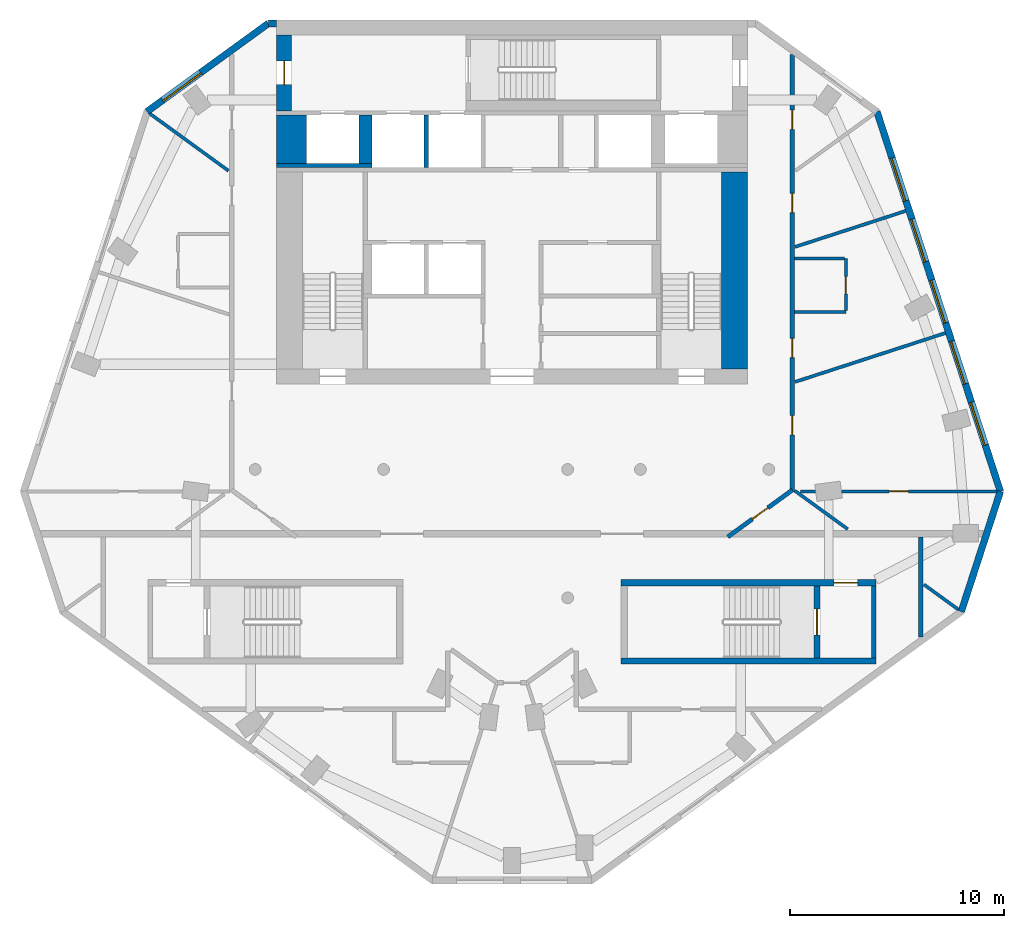
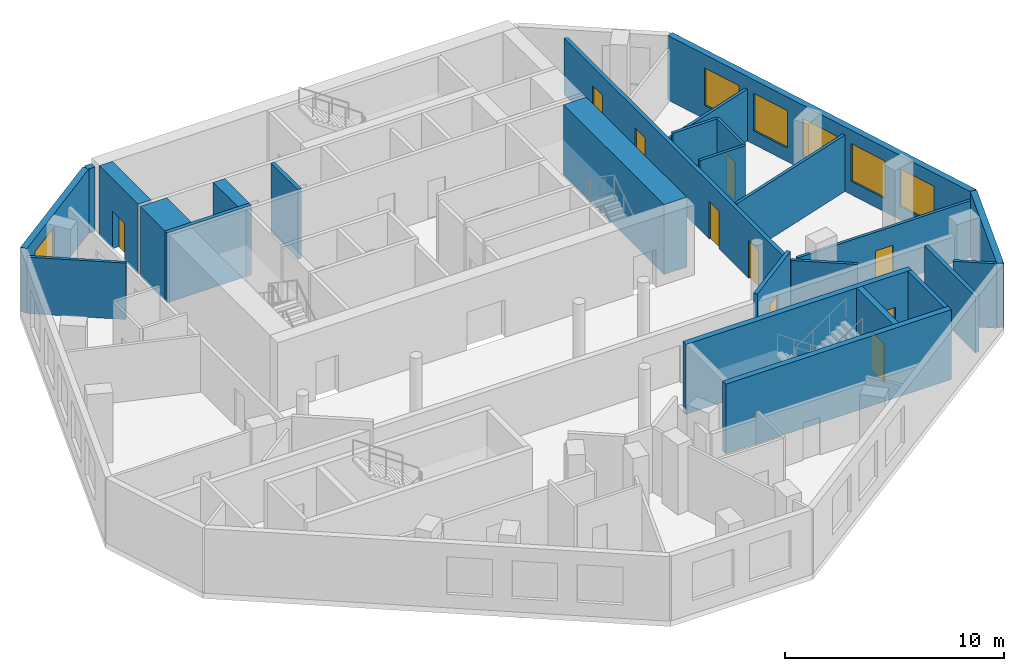
# One storey, part 4 of 8: 26 walls, 10 doors, 6 windows, 16 openings.
"""IFC4 building model written with IfcOpenShell, lengths in metres."""

from ifc_helpers import new_model, si_unit, direction, frame, frame_2d, origin, place, context, subcontext, project, spatial, rectangle, extrude, material, layer, layer_set, type_object, element, fill, save


model = new_model("IFC4")

# Units and contexts
model_context = context("Model", 3, precision=1e-05, world=origin(), true_north=direction((0.0, 1.0)))
body_context = subcontext(model_context, "Body", "Model", "MODEL_VIEW")
ifc_project = project(units=[si_unit("LENGTHUNIT", "METRE"), si_unit("AREAUNIT", "SQUARE_METRE"), si_unit("VOLUMEUNIT", "CUBIC_METRE"), si_unit("PLANEANGLEUNIT", "RADIAN"), si_unit("MASSUNIT", "GRAM", prefix="KILO")], contexts=[model_context])

# Site, building, storey
site_placement = place(None, origin())
site = spatial("IfcSite", under=ifc_project, at=site_placement, CompositionType="ELEMENT")
building_placement = place(site_placement, origin())
building = spatial("IfcBuilding", under=site, at=building_placement, Name="White Candle Pilgrim Tower", CompositionType="ELEMENT")
storey_placement = place(building_placement, frame((0.0, 0.0, 287.300048828125)))
storey = spatial("IfcBuildingStorey", under=building, at=storey_placement, Name="L68", CompositionType="ELEMENT", Elevation=287.300048828125)

# Walls
ifc_material_1 = material(Name="Concrete C50/60", Category="concrete")
ifc_layer_1 = layer(ifc_material_1, 1.39990234375)
ifc_layer_set_1 = layer_set([ifc_layer_1], Name="Core wall 1400 mm Concrete C50/60")
wall_type_1 = type_object("IfcWallType", Name="Core wall 1400 mm Concrete C50/60", PredefinedType="SHEAR", material=ifc_layer_set_1)
wall_1_placement = place(storey_placement, frame((59.699951171875, 81.300048828125, 0.0), z_axis=(0.0, 0.0, 1.0), x_axis=(0.0, 1.0, 0.0)))
element("IfcWall", 1, at=wall_1_placement, inside=storey, type_object=wall_type_1, Name="WL-L68-C39", PredefinedType="SHEAR", context=body_context, shape_type="SweptSolid", body=[
    extrude(rectangle(XDim=2.25, YDim=1.39990234375, at=frame_2d((1.125, 0.0))), origin(), (0.0, 0.0, 1.0), 3.89990234375),
])
ifc_layer_2 = layer(ifc_material_1, 0.199951171875)
ifc_layer_set_2 = layer_set([ifc_layer_2], Name="Core wall 200 mm Concrete C50/60")
wall_type_2 = type_object("IfcWallType", Name="Core wall 200 mm Concrete C50/60", PredefinedType="SHEAR", material=ifc_layer_set_2)
wall_2_placement = place(storey_placement, frame((86.89990234375, 58.199951171875, 0.0), z_axis=(0.0, 0.0, 1.0), x_axis=(0.0, 1.0, 0.0)))
element("IfcWall", 2, at=wall_2_placement, inside=storey, type_object=wall_type_2, Name="WL-L68-C08", PredefinedType="SHEAR", context=body_context, shape_type="SweptSolid", body=[
    extrude(rectangle(XDim=3.35009765625, YDim=0.199951171875, at=frame_2d((1.675048828125, 0.0))), origin(), (0.0, 0.0, 1.0), 3.89990234375),
])
wall_3_placement = place(storey_placement, frame((59.0, 81.199951171875, 0.0), z_axis=(0.0, 0.0, 1.0), x_axis=(1.0, 0.0, 0.0)))
element("IfcWall", 3, at=wall_3_placement, inside=storey, type_object=wall_type_2, Name="WL-L68-C33", PredefinedType="SHEAR", context=body_context, shape_type="SweptSolid", body=[
    extrude(rectangle(XDim=4.449951171875, YDim=0.199951171875, at=frame_2d((2.22509765625, 0.0))), origin(), (0.0, 0.0, 1.0), 3.89990234375),
])

# Wall, opening, door
ifc_layer_3 = layer(ifc_material_1, 0.699951171875)
ifc_layer_set_3 = layer_set([ifc_layer_3], Name="Core wall 700 mm Concrete C50/60")
wall_type_3 = type_object("IfcWallType", Name="Core wall 700 mm Concrete C50/60", PredefinedType="SHEAR", material=ifc_layer_set_3)
wall_4_placement = place(storey_placement, frame((59.35009765625, 83.75, 0.0), z_axis=(0.0, 0.0, 1.0), x_axis=(0.0, 1.0, 0.0)))
wall_4 = element("IfcWall", 4, at=wall_4_placement, inside=storey, type_object=wall_type_3, Name="WL-L68-C44", PredefinedType="SHEAR", context=body_context, shape_type="SweptSolid", body=[
    extrude(rectangle(XDim=3.550048828125, YDim=0.699951171875, at=frame_2d((1.77490234375, 0.0))), origin(), (0.0, 0.0, 1.0), 3.89990234375),
])
opening_1_placement = place(wall_4_placement, frame((1.22509765625, 0.0, 0.0)))
opening_1 = element("IfcOpeningElement", 5, at=opening_1_placement, cuts=wall_4, Name="Opening T21-008", PredefinedType="OPENING", context=body_context, shape_type="SweptSolid", body=[
    extrude(rectangle(XDim=1.10009765625, YDim=2.10009765625, at=frame_2d((0.550048828125, 1.050048828125))), frame((0.0, 0.35986328125, 0.0), z_axis=(0.0, -1.0, 0.0), x_axis=(1.0, 0.0, 0.0)), (0.0, 0.0, 1.0), 0.719970703125),
])
ifc_material_2 = material(Name="Steel door leaf", Category="steel")
door_type_1 = type_object("IfcDoorType", Name="Fire door 1100 x 2100 EI 60", OperationType="NOTDEFINED", PredefinedType="DOOR", material=ifc_material_2)
door_1_placement = place(opening_1_placement, origin())
door_1 = element("IfcDoor", 6, at=door_1_placement, inside=storey, type_object=door_type_1, Name="Door T21-008", OperationType="SINGLE_SWING_RIGHT", OverallHeight=2.10009765625, OverallWidth=1.10009765625, PredefinedType="DOOR", context=body_context, shape_type="SweptSolid", body=[
    extrude(rectangle(XDim=1.10009765625, YDim=2.10009765625, at=frame_2d((0.550048828125, 1.050048828125))), frame((0.0, 0.02490234375, 0.0), z_axis=(0.0, -1.0, 0.0), x_axis=(1.0, 0.0, 0.0)), (0.0, 0.0, 1.0), 0.050048828125),
])
fill(opening_1, door_1)

# Wall, openings, doors
ifc_material_3 = material(Name="Gypsum board on steel studs", Category="steel")
ifc_layer_4 = layer(ifc_material_3, 0.199951171875)
ifc_layer_set_4 = layer_set([ifc_layer_4], Name="Corridor wall 200 mm EI 45")
wall_type_4 = type_object("IfcWallType", Name="Corridor wall 200 mm EI 45", PredefinedType="PARTITIONING", material=ifc_layer_set_4)
wall_5_placement = place(storey_placement, frame((83.10009765625, 86.396240234375, 0.0), z_axis=(0.0, 0.0, 1.0), x_axis=(0.0, -1.0, 0.0)))
wall_5 = element("IfcWall", 7, at=wall_5_placement, inside=storey, type_object=wall_type_4, Name="WL-L68-P005", PredefinedType="PARTITIONING", context=body_context, shape_type="SweptSolid", body=[
    extrude(rectangle(XDim=20.416259765625, YDim=0.199951171875, at=frame_2d((10.2080078125, 0.0))), origin(), (0.0, 0.0, 1.0), 3.14990234375),
])
opening_2_placement = place(wall_5_placement, frame((2.6123046875, 0.0, 0.0)))
opening_2 = element("IfcOpeningElement", 8, at=opening_2_placement, cuts=wall_5, Name="Opening T21-113", PredefinedType="OPENING", context=body_context, shape_type="SweptSolid", body=[
    extrude(rectangle(XDim=0.89990234375, YDim=2.10009765625, at=frame_2d((0.449951171875, 1.050048828125))), frame((0.0, 0.10986328125, 0.0), z_axis=(0.0, -1.0, 0.0), x_axis=(1.0, 0.0, 0.0)), (0.0, 0.0, 1.0), 0.219970703125),
])
opening_3_placement = place(wall_5_placement, frame((6.49365234375, 0.0, 0.0)))
opening_3 = element("IfcOpeningElement", 9, at=opening_3_placement, cuts=wall_5, Name="Opening T21-114", PredefinedType="OPENING", context=body_context, shape_type="SweptSolid", body=[
    extrude(rectangle(XDim=0.89990234375, YDim=2.10009765625, at=frame_2d((0.449951171875, 1.050048828125))), frame((0.0, 0.10986328125, 0.0), z_axis=(0.0, -1.0, 0.0), x_axis=(1.0, 0.0, 0.0)), (0.0, 0.0, 1.0), 0.219970703125),
])
opening_4_placement = place(wall_5_placement, frame((13.270263671875, 0.0, 0.0)))
opening_4 = element("IfcOpeningElement", 10, at=opening_4_placement, cuts=wall_5, Name="Opening T21-115", PredefinedType="OPENING", context=body_context, shape_type="SweptSolid", body=[
    extrude(rectangle(XDim=0.89990234375, YDim=2.10009765625, at=frame_2d((0.449951171875, 1.050048828125))), frame((0.0, 0.10986328125, 0.0), z_axis=(0.0, -1.0, 0.0), x_axis=(1.0, 0.0, 0.0)), (0.0, 0.0, 1.0), 0.219970703125),
])
opening_5_placement = place(wall_5_placement, frame((16.877197265625, 0.0, 0.0)))
opening_5 = element("IfcOpeningElement", 11, at=opening_5_placement, cuts=wall_5, Name="Opening T21-116", PredefinedType="OPENING", context=body_context, shape_type="SweptSolid", body=[
    extrude(rectangle(XDim=0.89990234375, YDim=2.10009765625, at=frame_2d((0.449951171875, 1.050048828125))), frame((0.0, 0.10986328125, 0.0), z_axis=(0.0, -1.0, 0.0), x_axis=(1.0, 0.0, 0.0)), (0.0, 0.0, 1.0), 0.219970703125),
])
door_type_2 = type_object("IfcDoorType", Name="Fire door 900 x 2100 EI 30", OperationType="NOTDEFINED", PredefinedType="DOOR", material=ifc_material_2)
door_2_placement = place(opening_2_placement, origin())
door_2 = element("IfcDoor", 12, at=door_2_placement, inside=storey, type_object=door_type_2, Name="Door T21-113", OperationType="SINGLE_SWING_LEFT", OverallHeight=2.10009765625, OverallWidth=0.89990234375, PredefinedType="DOOR", context=body_context, shape_type="SweptSolid", body=[
    extrude(rectangle(XDim=0.89990234375, YDim=2.10009765625, at=frame_2d((0.449951171875, 1.050048828125))), frame((0.0, 0.02490234375, 0.0), z_axis=(0.0, -1.0, 0.0), x_axis=(1.0, 0.0, 0.0)), (0.0, 0.0, 1.0), 0.050048828125),
])
fill(opening_2, door_2)
door_3_placement = place(opening_3_placement, origin())
door_3 = element("IfcDoor", 13, at=door_3_placement, inside=storey, type_object=door_type_2, Name="Door T21-114", OperationType="SINGLE_SWING_RIGHT", OverallHeight=2.10009765625, OverallWidth=0.89990234375, PredefinedType="DOOR", context=body_context, shape_type="SweptSolid", body=[
    extrude(rectangle(XDim=0.89990234375, YDim=2.10009765625, at=frame_2d((0.449951171875, 1.050048828125))), frame((0.0, 0.02490234375, 0.0), z_axis=(0.0, -1.0, 0.0), x_axis=(1.0, 0.0, 0.0)), (0.0, 0.0, 1.0), 0.050048828125),
])
fill(opening_3, door_3)
door_4_placement = place(opening_4_placement, origin())
door_4 = element("IfcDoor", 14, at=door_4_placement, inside=storey, type_object=door_type_2, Name="Door T21-115", OperationType="SINGLE_SWING_LEFT", OverallHeight=2.10009765625, OverallWidth=0.89990234375, PredefinedType="DOOR", context=body_context, shape_type="SweptSolid", body=[
    extrude(rectangle(XDim=0.89990234375, YDim=2.10009765625, at=frame_2d((0.449951171875, 1.050048828125))), frame((0.0, 0.02490234375, 0.0), z_axis=(0.0, -1.0, 0.0), x_axis=(1.0, 0.0, 0.0)), (0.0, 0.0, 1.0), 0.050048828125),
])
fill(opening_4, door_4)
door_5_placement = place(opening_5_placement, origin())
door_5 = element("IfcDoor", 15, at=door_5_placement, inside=storey, type_object=door_type_2, Name="Door T21-116", OperationType="SINGLE_SWING_RIGHT", OverallHeight=2.10009765625, OverallWidth=0.89990234375, PredefinedType="DOOR", context=body_context, shape_type="SweptSolid", body=[
    extrude(rectangle(XDim=0.89990234375, YDim=2.10009765625, at=frame_2d((0.449951171875, 1.050048828125))), frame((0.0, 0.02490234375, 0.0), z_axis=(0.0, -1.0, 0.0), x_axis=(1.0, 0.0, 0.0)), (0.0, 0.0, 1.0), 0.050048828125),
])
fill(opening_5, door_5)

# Wall, opening, door
wall_6_placement = place(storey_placement, frame((83.10009765625, 66.041015625, 0.0), z_axis=(0.0, 0.0, 1.0), x_axis=(-0.809024883744, -0.587774393355, 0.0)))
wall_6 = element("IfcWall", 16, at=wall_6_placement, inside=storey, type_object=wall_type_4, Name="WL-L68-P006", PredefinedType="PARTITIONING", context=body_context, shape_type="SweptSolid", body=[
    extrude(rectangle(XDim=3.7275390625, YDim=0.199951171875, at=frame_2d((1.86376953125, 0.0))), origin(), (0.0, 0.0, 1.0), 3.599853515625),
])
opening_6_placement = place(wall_6_placement, frame((1.413818359375, 0.0, 0.0)))
opening_6 = element("IfcOpeningElement", 17, at=opening_6_placement, cuts=wall_6, Name="Opening T21-119", PredefinedType="OPENING", context=body_context, shape_type="SweptSolid", body=[
    extrude(rectangle(XDim=0.89990234375, YDim=2.10009765625, at=frame_2d((0.449951171875, 1.050048828125))), frame((0.0, 0.10986328125, 0.0), z_axis=(0.0, -1.0, 0.0), x_axis=(1.0, 0.0, 0.0)), (0.0, 0.0, 1.0), 0.219970703125),
])
door_6_placement = place(opening_6_placement, origin())
door_6 = element("IfcDoor", 18, at=door_6_placement, inside=storey, type_object=door_type_2, Name="Door T21-119", OperationType="SINGLE_SWING_LEFT", OverallHeight=2.10009765625, OverallWidth=0.89990234375, PredefinedType="DOOR", context=body_context, shape_type="SweptSolid", body=[
    extrude(rectangle(XDim=0.89990234375, YDim=2.10009765625, at=frame_2d((0.449951171875, 1.050048828125))), frame((0.0, 0.02490234375, 0.0), z_axis=(0.0, -1.0, 0.0), x_axis=(1.0, 0.0, 0.0)), (0.0, 0.0, 1.0), 0.050048828125),
])
fill(opening_6, door_6)

# Walls
wall_7_placement = place(storey_placement, frame((89.10009765625, 63.85009765625, 0.0), z_axis=(0.0, 0.0, 1.0), x_axis=(0.0, -1.0, 0.0)))
element("IfcWall", 19, at=wall_7_placement, inside=storey, type_object=wall_type_4, Name="WL-L68-P007", PredefinedType="PARTITIONING", context=body_context, shape_type="SweptSolid", body=[
    extrude(rectangle(XDim=4.67333984375, YDim=0.199951171875, at=frame_2d((2.336669921875, 0.0))), origin(), (0.0, 0.0, 1.0), 3.14990234375),
])
ifc_material_4 = material(Name="Precast concrete C40/50", Category="concrete")
ifc_layer_5 = layer(ifc_material_4, 0.320068359375)
ifc_layer_set_5 = layer_set([ifc_layer_5], Name="Facade wall EW1 precast concrete C40/50 pier wall with timber-lined reveals")
wall_type_5 = type_object("IfcWallType", Name="Facade wall EW1 precast concrete C40/50 pier wall with timber-lined reveals", PredefinedType="SOLIDWALL", material=ifc_layer_set_5)
wall_8_placement = place(storey_placement, frame((90.99365234375, 60.354736328125, 0.0), z_axis=(0.0, 0.0, 1.0), x_axis=(0.30899265151, 0.951064425427, 0.0)))
element("IfcWall", 20, at=wall_8_placement, inside=storey, type_object=wall_type_5, Name="Facade wall L68 E chamfer", PredefinedType="SOLIDWALL", context=body_context, shape_type="SweptSolid", body=[
    extrude(rectangle(XDim=5.9091796875, YDim=0.320068359375, at=frame_2d((2.95458984375, 0.0))), origin(), (0.0, 0.0, 1.0), 3.599853515625),
])

# Wall, openings, windows
wall_9_placement = place(storey_placement, frame((92.819580078125, 65.974853515625, 0.0), z_axis=(0.0, 0.0, 1.0), x_axis=(-0.3090200992, 0.951055507471, 0.0)))
wall_9 = element("IfcWall", 21, at=wall_9_placement, inside=storey, type_object=wall_type_5, Name="Facade wall L68 ENE", PredefinedType="SOLIDWALL", context=body_context, shape_type="SweptSolid", body=[
    extrude(rectangle(XDim=18.66015625, YDim=0.320068359375, at=frame_2d((9.330078125, 0.0))), origin(), (0.0, 0.0, 1.0), 3.599853515625),
])
opening_7_placement = place(wall_9_placement, frame((2.280029296875, 0.0, 0.75)))
opening_7 = element("IfcOpeningElement", 22, at=opening_7_placement, cuts=wall_9, Name="Opening W3", PredefinedType="OPENING", context=body_context, shape_type="SweptSolid", body=[
    extrude(rectangle(XDim=2.10009765625, YDim=2.10009765625, at=frame_2d((1.050048828125, 1.050048828125))), frame((0.0, 0.169921875, 0.0), z_axis=(0.0, -1.0, 0.0), x_axis=(1.0, 0.0, 0.0)), (0.0, 0.0, 1.0), 0.340087890625),
])
opening_8_placement = place(wall_9_placement, frame((5.280029296875, 0.0, 0.75)))
opening_8 = element("IfcOpeningElement", 23, at=opening_8_placement, cuts=wall_9, Name="Opening W3", PredefinedType="OPENING", context=body_context, shape_type="SweptSolid", body=[
    extrude(rectangle(XDim=2.10009765625, YDim=2.10009765625, at=frame_2d((1.050048828125, 1.050048828125))), frame((0.0, 0.169921875, 0.0), z_axis=(0.0, -1.0, 0.0), x_axis=(1.0, 0.0, 0.0)), (0.0, 0.0, 1.0), 0.340087890625),
])
opening_9_placement = place(wall_9_placement, frame((8.280029296875, 0.0, 0.75)))
opening_9 = element("IfcOpeningElement", 24, at=opening_9_placement, cuts=wall_9, Name="Opening W3", PredefinedType="OPENING", context=body_context, shape_type="SweptSolid", body=[
    extrude(rectangle(XDim=2.10009765625, YDim=2.10009765625, at=frame_2d((1.050048828125, 1.050048828125))), frame((0.0, 0.169921875, 0.0), z_axis=(0.0, -1.0, 0.0), x_axis=(1.0, 0.0, 0.0)), (0.0, 0.0, 1.0), 0.340087890625),
])
opening_10_placement = place(wall_9_placement, frame((11.280029296875, 0.0, 0.75)))
opening_10 = element("IfcOpeningElement", 25, at=opening_10_placement, cuts=wall_9, Name="Opening W3", PredefinedType="OPENING", context=body_context, shape_type="SweptSolid", body=[
    extrude(rectangle(XDim=2.10009765625, YDim=2.10009765625, at=frame_2d((1.050048828125, 1.050048828125))), frame((0.0, 0.169921875, 0.0), z_axis=(0.0, -1.0, 0.0), x_axis=(1.0, 0.0, 0.0)), (0.0, 0.0, 1.0), 0.340087890625),
])
opening_11_placement = place(wall_9_placement, frame((14.280029296875, 0.0, 0.75)))
opening_11 = element("IfcOpeningElement", 26, at=opening_11_placement, cuts=wall_9, Name="Opening W3", PredefinedType="OPENING", context=body_context, shape_type="SweptSolid", body=[
    extrude(rectangle(XDim=2.10009765625, YDim=2.10009765625, at=frame_2d((1.050048828125, 1.050048828125))), frame((0.0, 0.169921875, 0.0), z_axis=(0.0, -1.0, 0.0), x_axis=(1.0, 0.0, 0.0)), (0.0, 0.0, 1.0), 0.340087890625),
])
ifc_material_5 = material(Name="Timber frame with triple glazing", Category="wood")
window_type_1 = type_object("IfcWindowType", Name="Window W3 2100x2100 timber frame triple glazing", PartitioningType="SINGLE_PANEL", PredefinedType="WINDOW", material=ifc_material_5)
window_1_placement = place(opening_7_placement, origin())
window_1 = element("IfcWindow", 27, at=window_1_placement, inside=storey, type_object=window_type_1, Name="Window W3 L68 ENE 1", OverallHeight=2.10009765625, OverallWidth=2.10009765625, PartitioningType="SINGLE_PANEL", PredefinedType="WINDOW", context=body_context, shape_type="SweptSolid", body=[
    extrude(rectangle(XDim=2.10009765625, YDim=2.10009765625, at=frame_2d((1.050048828125, 1.050048828125))), frame((0.0, 0.070068359375, 0.0), z_axis=(0.0, -1.0, 0.0), x_axis=(1.0, 0.0, 0.0)), (0.0, 0.0, 1.0), 0.06005859375),
])
fill(opening_7, window_1)
window_2_placement = place(opening_8_placement, origin())
window_2 = element("IfcWindow", 28, at=window_2_placement, inside=storey, type_object=window_type_1, Name="Window W3 L68 ENE 2", OverallHeight=2.10009765625, OverallWidth=2.10009765625, PartitioningType="SINGLE_PANEL", PredefinedType="WINDOW", context=body_context, shape_type="SweptSolid", body=[
    extrude(rectangle(XDim=2.10009765625, YDim=2.10009765625, at=frame_2d((1.050048828125, 1.050048828125))), frame((0.0, 0.070068359375, 0.0), z_axis=(0.0, -1.0, 0.0), x_axis=(1.0, 0.0, 0.0)), (0.0, 0.0, 1.0), 0.06005859375),
])
fill(opening_8, window_2)
window_3_placement = place(opening_9_placement, origin())
window_3 = element("IfcWindow", 29, at=window_3_placement, inside=storey, type_object=window_type_1, Name="Window W3 L68 ENE 3", OverallHeight=2.10009765625, OverallWidth=2.10009765625, PartitioningType="SINGLE_PANEL", PredefinedType="WINDOW", context=body_context, shape_type="SweptSolid", body=[
    extrude(rectangle(XDim=2.10009765625, YDim=2.10009765625, at=frame_2d((1.050048828125, 1.050048828125))), frame((0.0, 0.070068359375, 0.0), z_axis=(0.0, -1.0, 0.0), x_axis=(1.0, 0.0, 0.0)), (0.0, 0.0, 1.0), 0.06005859375),
])
fill(opening_9, window_3)
window_4_placement = place(opening_10_placement, origin())
window_4 = element("IfcWindow", 30, at=window_4_placement, inside=storey, type_object=window_type_1, Name="Window W3 L68 ENE 4", OverallHeight=2.10009765625, OverallWidth=2.10009765625, PartitioningType="SINGLE_PANEL", PredefinedType="WINDOW", context=body_context, shape_type="SweptSolid", body=[
    extrude(rectangle(XDim=2.10009765625, YDim=2.10009765625, at=frame_2d((1.050048828125, 1.050048828125))), frame((0.0, 0.070068359375, 0.0), z_axis=(0.0, -1.0, 0.0), x_axis=(1.0, 0.0, 0.0)), (0.0, 0.0, 1.0), 0.06005859375),
])
fill(opening_10, window_4)
window_5_placement = place(opening_11_placement, origin())
window_5 = element("IfcWindow", 31, at=window_5_placement, inside=storey, type_object=window_type_1, Name="Window W3 L68 ENE 5", OverallHeight=2.10009765625, OverallWidth=2.10009765625, PartitioningType="SINGLE_PANEL", PredefinedType="WINDOW", context=body_context, shape_type="SweptSolid", body=[
    extrude(rectangle(XDim=2.10009765625, YDim=2.10009765625, at=frame_2d((1.050048828125, 1.050048828125))), frame((0.0, 0.070068359375, 0.0), z_axis=(0.0, -1.0, 0.0), x_axis=(1.0, 0.0, 0.0)), (0.0, 0.0, 1.0), 0.06005859375),
])
fill(opening_11, window_5)

# Wall
wall_10_placement = place(storey_placement, frame((59.0, 87.840087890625, 0.0), z_axis=(0.0, 0.0, 1.0), x_axis=(-1.0, 0.0, 0.0)))
element("IfcWall", 32, at=wall_10_placement, inside=storey, type_object=wall_type_5, Name="Facade wall L68 N", PredefinedType="SOLIDWALL", context=body_context, shape_type="SweptSolid", body=[
    extrude(rectangle(XDim=0.385009765625, YDim=0.320068359375, at=frame_2d((0.1923828125, 0.0))), origin(), (0.0, 0.0, 1.0), 3.599853515625),
])

# Wall, opening, window
wall_11_placement = place(storey_placement, frame((58.614990234375, 87.840087890625, 0.0), z_axis=(0.0, 0.0, 1.0), x_axis=(-0.809002708762, -0.587804914249, 0.0)))
wall_11 = element("IfcWall", 33, at=wall_11_placement, inside=storey, type_object=wall_type_5, Name="Facade wall L68 NW chamfer", PredefinedType="SOLIDWALL", context=body_context, shape_type="SweptSolid", body=[
    extrude(rectangle(XDim=7.00634765625, YDim=0.320068359375, at=frame_2d((3.503173828125, 0.0))), origin(), (0.0, 0.0, 1.0), 3.599853515625),
])
opening_12_placement = place(wall_11_placement, frame((3.9033203125, 0.0, 0.75)))
opening_12 = element("IfcOpeningElement", 34, at=opening_12_placement, cuts=wall_11, Name="Opening W4", PredefinedType="OPENING", context=body_context, shape_type="SweptSolid", body=[
    extrude(rectangle(XDim=2.199951171875, YDim=2.10009765625, at=frame_2d((1.10009765625, 1.050048828125))), frame((0.0, 0.169921875, 0.0), z_axis=(0.0, -1.0, 0.0), x_axis=(1.0, 0.0, 0.0)), (0.0, 0.0, 1.0), 0.340087890625),
])
window_type_2 = type_object("IfcWindowType", Name="Window W4 2200x2100 timber frame triple glazing", PartitioningType="SINGLE_PANEL", PredefinedType="WINDOW", material=ifc_material_5)
window_6_placement = place(opening_12_placement, origin())
window_6 = element("IfcWindow", 35, at=window_6_placement, inside=storey, type_object=window_type_2, Name="Window W4 L68 NW chamfer 2", OverallHeight=2.10009765625, OverallWidth=2.199951171875, PartitioningType="SINGLE_PANEL", PredefinedType="WINDOW", context=body_context, shape_type="SweptSolid", body=[
    extrude(rectangle(XDim=2.199951171875, YDim=2.10009765625, at=frame_2d((1.10009765625, 1.050048828125))), frame((0.0, 0.070068359375, 0.0), z_axis=(0.0, -1.0, 0.0), x_axis=(1.0, 0.0, 0.0)), (0.0, 0.0, 1.0), 0.06005859375),
])
fill(opening_12, window_6)

# Walls
ifc_layer_6 = layer(ifc_material_3, 0.14990234375)
ifc_layer_set_6 = layer_set([ifc_layer_6], Name="Partition 150 mm EI 60")
wall_type_6 = type_object("IfcWallType", Name="Partition 150 mm EI 60", PredefinedType="PARTITIONING", material=ifc_layer_set_6)
wall_12_placement = place(storey_placement, frame((53.082763671875, 83.622802734375, 0.0), z_axis=(0.0, 0.0, 1.0), x_axis=(0.809012707043, -0.587791153253, 0.0)))
element("IfcWall", 36, at=wall_12_placement, inside=storey, type_object=wall_type_6, Name="WL-L68-P015", PredefinedType="PARTITIONING", context=body_context, shape_type="SweptSolid", body=[
    extrude(rectangle(XDim=4.540283203125, YDim=0.14990234375, at=frame_2d((2.27001953125, 0.0))), origin(), (0.0, 0.0, 1.0), 3.14990234375),
])
wall_13_placement = place(storey_placement, frame((90.857421875, 60.45361328125, 0.0), z_axis=(0.0, 0.0, 1.0), x_axis=(-0.809016588302, 0.587785811204, 0.0)))
element("IfcWall", 37, at=wall_13_placement, inside=storey, type_object=wall_type_6, Name="WL-L68-P021", PredefinedType="PARTITIONING", context=body_context, shape_type="SweptSolid", body=[
    extrude(rectangle(XDim=1.994140625, YDim=0.14990234375, at=frame_2d((0.9970703125, 0.0))), origin(), (0.0, 0.0, 1.0), 3.599853515625),
])
wall_14_placement = place(storey_placement, frame((85.686279296875, 64.210693359375, 0.0), z_axis=(0.0, 0.0, 1.0), x_axis=(-0.809019714883, 0.587781507816, 0.0)))
element("IfcWall", 38, at=wall_14_placement, inside=storey, type_object=wall_type_6, Name="WL-L68-P022", PredefinedType="PARTITIONING", context=body_context, shape_type="SweptSolid", body=[
    extrude(rectangle(XDim=3.05126953125, YDim=0.14990234375, at=frame_2d((1.525634765625, 0.0))), origin(), (0.0, 0.0, 1.0), 3.099853515625),
])

# Wall, opening, door
wall_15_placement = place(storey_placement, frame((92.6513671875, 65.974853515625, 0.0), z_axis=(0.0, 0.0, 1.0), x_axis=(-1.0, 0.0, 0.0)))
wall_15 = element("IfcWall", 39, at=wall_15_placement, inside=storey, type_object=wall_type_6, Name="WL-L68-P023", PredefinedType="PARTITIONING", context=body_context, shape_type="SweptSolid", body=[
    extrude(rectangle(XDim=9.162353515625, YDim=0.14990234375, at=frame_2d((4.5810546875, 0.0))), origin(), (0.0, 0.0, 1.0), 3.14990234375),
])
opening_13_placement = place(wall_15_placement, frame((4.131103515625, 0.0, 0.0)))
opening_13 = element("IfcOpeningElement", 40, at=opening_13_placement, cuts=wall_15, Name="Opening T21-117", PredefinedType="OPENING", context=body_context, shape_type="SweptSolid", body=[
    extrude(rectangle(XDim=0.89990234375, YDim=2.10009765625, at=frame_2d((0.449951171875, 1.050048828125))), frame((0.0, 0.0849609375, 0.0), z_axis=(0.0, -1.0, 0.0), x_axis=(1.0, 0.0, 0.0)), (0.0, 0.0, 1.0), 0.169921875),
])
door_7_placement = place(opening_13_placement, origin())
door_7 = element("IfcDoor", 41, at=door_7_placement, inside=storey, type_object=door_type_2, Name="Door T21-117", OperationType="SINGLE_SWING_LEFT", OverallHeight=2.10009765625, OverallWidth=0.89990234375, PredefinedType="DOOR", context=body_context, shape_type="SweptSolid", body=[
    extrude(rectangle(XDim=0.89990234375, YDim=2.10009765625, at=frame_2d((0.449951171875, 1.050048828125))), frame((0.0, 0.02490234375, 0.0), z_axis=(0.0, -1.0, 0.0), x_axis=(1.0, 0.0, 0.0)), (0.0, 0.0, 1.0), 0.050048828125),
])
fill(opening_13, door_7)

# Walls
wall_16_placement = place(storey_placement, frame((90.247802734375, 73.372314453125, 0.0), z_axis=(0.0, 0.0, 1.0), x_axis=(-0.951055684943, -0.309019553002, 0.0)))
element("IfcWall", 42, at=wall_16_placement, inside=storey, type_object=wall_type_6, Name="WL-L68-P035", PredefinedType="PARTITIONING", context=body_context, shape_type="SweptSolid", body=[
    extrude(rectangle(XDim=7.38623046875, YDim=0.14990234375, at=frame_2d((3.693115234375, 0.0))), origin(), (0.0, 0.0, 1.0), 3.14990234375),
])
wall_17_placement = place(storey_placement, frame((88.393798828125, 79.07861328125, 0.0), z_axis=(0.0, 0.0, 1.0), x_axis=(-0.951062774979, -0.308997731462, 0.0)))
element("IfcWall", 43, at=wall_17_placement, inside=storey, type_object=wall_type_6, Name="WL-L68-P036", PredefinedType="PARTITIONING", context=body_context, shape_type="SweptSolid", body=[
    extrude(rectangle(XDim=5.436767578125, YDim=0.14990234375, at=frame_2d((2.71826171875, 0.0))), origin(), (0.0, 0.0, 1.0), 2.89990234375),
])
wall_18_placement = place(storey_placement, frame((83.199951171875, 74.358642578125, 0.0), z_axis=(0.0, 0.0, 1.0), x_axis=(1.0, 0.0, 0.0)))
element("IfcWall", 44, at=wall_18_placement, inside=storey, type_object=wall_type_6, Name="WL-L68-P037", PredefinedType="PARTITIONING", context=body_context, shape_type="SweptSolid", body=[
    extrude(rectangle(XDim=2.400146484375, YDim=0.14990234375, at=frame_2d((1.2001953125, 0.0))), origin(), (0.0, 0.0, 1.0), 3.599853515625),
])

# Wall, opening, door
wall_19_placement = place(storey_placement, frame((85.60009765625, 76.858642578125, 0.0), z_axis=(0.0, 0.0, 1.0), x_axis=(0.0, -1.0, 0.0)))
wall_19 = element("IfcWall", 45, at=wall_19_placement, inside=storey, type_object=wall_type_6, Name="WL-L68-P038", PredefinedType="PARTITIONING", context=body_context, shape_type="SweptSolid", body=[
    extrude(rectangle(XDim=2.425048828125, YDim=0.14990234375, at=frame_2d((1.21240234375, 0.0))), origin(), (0.0, 0.0, 1.0), 3.599853515625),
])
opening_14_placement = place(wall_19_placement, frame((0.85009765625, 0.0, 0.0)))
opening_14 = element("IfcOpeningElement", 46, at=opening_14_placement, cuts=wall_19, Name="Opening T21-107", PredefinedType="OPENING", context=body_context, shape_type="SweptSolid", body=[
    extrude(rectangle(XDim=0.800048828125, YDim=2.10009765625, at=frame_2d((0.39990234375, 1.050048828125))), frame((0.0, 0.0849609375, 0.0), z_axis=(0.0, -1.0, 0.0), x_axis=(1.0, 0.0, 0.0)), (0.0, 0.0, 1.0), 0.169921875),
])
door_type_3 = type_object("IfcDoorType", Name="Fire door 800 x 2100 EI 30", OperationType="NOTDEFINED", PredefinedType="DOOR", material=ifc_material_2)
door_8_placement = place(opening_14_placement, origin())
door_8 = element("IfcDoor", 47, at=door_8_placement, inside=storey, type_object=door_type_3, Name="Door T21-107", OperationType="SINGLE_SWING_LEFT", OverallHeight=2.10009765625, OverallWidth=0.800048828125, PredefinedType="DOOR", context=body_context, shape_type="SweptSolid", body=[
    extrude(rectangle(XDim=0.800048828125, YDim=2.10009765625, at=frame_2d((0.39990234375, 1.050048828125))), frame((0.0, 0.02490234375, 0.0), z_axis=(0.0, -1.0, 0.0), x_axis=(1.0, 0.0, 0.0)), (0.0, 0.0, 1.0), 0.050048828125),
])
fill(opening_14, door_8)

# Walls
wall_20_placement = place(storey_placement, frame((83.199951171875, 76.858642578125, 0.0), z_axis=(0.0, 0.0, 1.0), x_axis=(1.0, 0.0, 0.0)))
element("IfcWall", 48, at=wall_20_placement, inside=storey, type_object=wall_type_6, Name="WL-L68-P039", PredefinedType="PARTITIONING", context=body_context, shape_type="SweptSolid", body=[
    extrude(rectangle(XDim=2.324951171875, YDim=0.14990234375, at=frame_2d((1.16259765625, 0.0))), origin(), (0.0, 0.0, 1.0), 3.599853515625),
])
ifc_layer_7 = layer(ifc_material_1, 0.199951171875)
ifc_layer_set_7 = layer_set([ifc_layer_7], Name="Shaft wall 200 mm Concrete C50/60")
wall_type_7 = type_object("IfcWallType", Name="Shaft wall 200 mm Concrete C50/60", PredefinedType="SHEAR", material=ifc_layer_set_7)
wall_21_placement = place(storey_placement, frame((66.0, 81.10009765625, 0.0), z_axis=(0.0, 0.0, 1.0), x_axis=(0.0, 1.0, 0.0)))
element("IfcWall", 49, at=wall_21_placement, inside=storey, type_object=wall_type_7, Name="WL-L68-C34", PredefinedType="SHEAR", context=body_context, shape_type="SweptSolid", body=[
    extrude(rectangle(XDim=2.449951171875, YDim=0.199951171875, at=frame_2d((1.22509765625, 0.0))), origin(), (0.0, 0.0, 1.0), 3.89990234375),
])
ifc_layer_8 = layer(ifc_material_1, 0.60009765625)
ifc_layer_set_8 = layer_set([ifc_layer_8], Name="Shaft wall 600 mm Concrete C50/60")
wall_type_8 = type_object("IfcWallType", Name="Shaft wall 600 mm Concrete C50/60", PredefinedType="SHEAR", material=ifc_layer_set_8)
wall_22_placement = place(storey_placement, frame((63.14990234375, 81.300048828125, 0.0), z_axis=(0.0, 0.0, 1.0), x_axis=(0.0, 1.0, 0.0)))
element("IfcWall", 50, at=wall_22_placement, inside=storey, type_object=wall_type_8, Name="WL-L68-C40", PredefinedType="SHEAR", context=body_context, shape_type="SweptSolid", body=[
    extrude(rectangle(XDim=2.25, YDim=0.60009765625, at=frame_2d((1.125, 0.0))), origin(), (0.0, 0.0, 1.0), 3.89990234375),
])
ifc_layer_9 = layer(ifc_material_1, 1.199951171875)
ifc_layer_set_9 = layer_set([ifc_layer_9], Name="Stair shaft wall 1200 mm Concrete C50/60")
wall_type_9 = type_object("IfcWallType", Name="Stair shaft wall 1200 mm Concrete C50/60", PredefinedType="SHEAR", material=ifc_layer_set_9)
wall_23_placement = place(storey_placement, frame((80.39990234375, 71.699951171875, 0.0), z_axis=(0.0, 0.0, 1.0), x_axis=(0.0, 1.0, 0.0)))
element("IfcWall", 51, at=wall_23_placement, inside=storey, type_object=wall_type_9, Name="WL-L68-C17", PredefinedType="SHEAR", context=body_context, shape_type="SweptSolid", body=[
    extrude(rectangle(XDim=9.199951171875, YDim=1.199951171875, at=frame_2d((4.60009765625, 0.0))), origin(), (0.0, 0.0, 1.0), 3.89990234375),
])
ifc_layer_10 = layer(ifc_material_1, 0.300048828125)
ifc_layer_set_10 = layer_set([ifc_layer_10], Name="Stair shaft wall 300 mm Concrete C50/60")
wall_type_10 = type_object("IfcWallType", Name="Stair shaft wall 300 mm Concrete C50/60", PredefinedType="SHEAR", material=ifc_layer_set_10)
wall_24_placement = place(storey_placement, frame((75.10009765625, 58.050048828125, 0.0), z_axis=(0.0, 0.0, 1.0), x_axis=(1.0, 0.0, 0.0)))
element("IfcWall", 52, at=wall_24_placement, inside=storey, type_object=wall_type_10, Name="WL-L68-C02", PredefinedType="SHEAR", context=body_context, shape_type="SweptSolid", body=[
    extrude(rectangle(XDim=11.89990234375, YDim=0.300048828125, at=frame_2d((5.949951171875, 0.0))), origin(), (0.0, 0.0, 1.0), 3.89990234375),
])

# Wall, opening, door
wall_25_placement = place(storey_placement, frame((84.25, 58.199951171875, 0.0), z_axis=(0.0, 0.0, 1.0), x_axis=(0.0, 1.0, 0.0)))
wall_25 = element("IfcWall", 53, at=wall_25_placement, inside=storey, type_object=wall_type_10, Name="WL-L68-C07", PredefinedType="SHEAR", context=body_context, shape_type="SweptSolid", body=[
    extrude(rectangle(XDim=3.35009765625, YDim=0.300048828125, at=frame_2d((1.675048828125, 0.0))), origin(), (0.0, 0.0, 1.0), 3.89990234375),
])
opening_15_placement = place(wall_25_placement, frame((1.074951171875, 0.0, 0.0)))
opening_15 = element("IfcOpeningElement", 54, at=opening_15_placement, cuts=wall_25, Name="Opening T21-013", PredefinedType="OPENING", context=body_context, shape_type="SweptSolid", body=[
    extrude(rectangle(XDim=1.199951171875, YDim=2.10009765625, at=frame_2d((0.60009765625, 1.050048828125))), frame((0.0, 0.159912109375, 0.0), z_axis=(0.0, -1.0, 0.0), x_axis=(1.0, 0.0, 0.0)), (0.0, 0.0, 1.0), 0.320068359375),
])
door_type_4 = type_object("IfcDoorType", Name="Fire door 1200 x 2100 EI 60", OperationType="NOTDEFINED", PredefinedType="DOOR", material=ifc_material_2)
door_9_placement = place(opening_15_placement, origin())
door_9 = element("IfcDoor", 55, at=door_9_placement, inside=storey, type_object=door_type_4, Name="Door T21-013", OperationType="SINGLE_SWING_LEFT", OverallHeight=2.10009765625, OverallWidth=1.199951171875, PredefinedType="DOOR", context=body_context, shape_type="SweptSolid", body=[
    extrude(rectangle(XDim=1.199951171875, YDim=2.10009765625, at=frame_2d((0.60009765625, 1.050048828125))), frame((0.0, 0.02490234375, 0.0), z_axis=(0.0, -1.0, 0.0), x_axis=(1.0, 0.0, 0.0)), (0.0, 0.0, 1.0), 0.050048828125),
])
fill(opening_15, door_9)

wall_26_placement = place(storey_placement, frame((75.10009765625, 61.699951171875, 0.0), z_axis=(0.0, 0.0, 1.0), x_axis=(1.0, 0.0, 0.0)))
wall_26 = element("IfcWall", 56, at=wall_26_placement, inside=storey, type_object=wall_type_10, Name="WL-L68-C10", PredefinedType="SHEAR", context=body_context, shape_type="SweptSolid", body=[
    extrude(rectangle(XDim=11.89990234375, YDim=0.300048828125, at=frame_2d((5.949951171875, 0.0))), origin(), (0.0, 0.0, 1.0), 3.89990234375),
])
opening_16_placement = place(wall_26_placement, frame((9.949951171875, 0.0, 0.0)))
opening_16 = element("IfcOpeningElement", 57, at=opening_16_placement, cuts=wall_26, Name="Opening T21-012", PredefinedType="OPENING", context=body_context, shape_type="SweptSolid", body=[
    extrude(rectangle(XDim=1.10009765625, YDim=2.10009765625, at=frame_2d((0.550048828125, 1.050048828125))), frame((0.0, 0.159912109375, 0.0), z_axis=(0.0, -1.0, 0.0), x_axis=(1.0, 0.0, 0.0)), (0.0, 0.0, 1.0), 0.320068359375),
])
door_10_placement = place(opening_16_placement, frame((1.10009765625, 0.0, 0.0), z_axis=(0.0, 0.0, 1.0), x_axis=(-1.0, 0.0, 0.0)))
door_10 = element("IfcDoor", 58, at=door_10_placement, inside=storey, type_object=door_type_1, Name="Door T21-012", OperationType="SINGLE_SWING_LEFT", OverallHeight=2.10009765625, OverallWidth=1.10009765625, PredefinedType="DOOR", context=body_context, shape_type="SweptSolid", body=[
    extrude(rectangle(XDim=1.10009765625, YDim=2.10009765625, at=frame_2d((0.550048828125, 1.050048828125))), frame((0.0, 0.02490234375, 0.0), z_axis=(0.0, -1.0, 0.0), x_axis=(1.0, 0.0, 0.0)), (0.0, 0.0, 1.0), 0.050048828125),
])
fill(opening_16, door_10)

save(model, "model.ifc")
